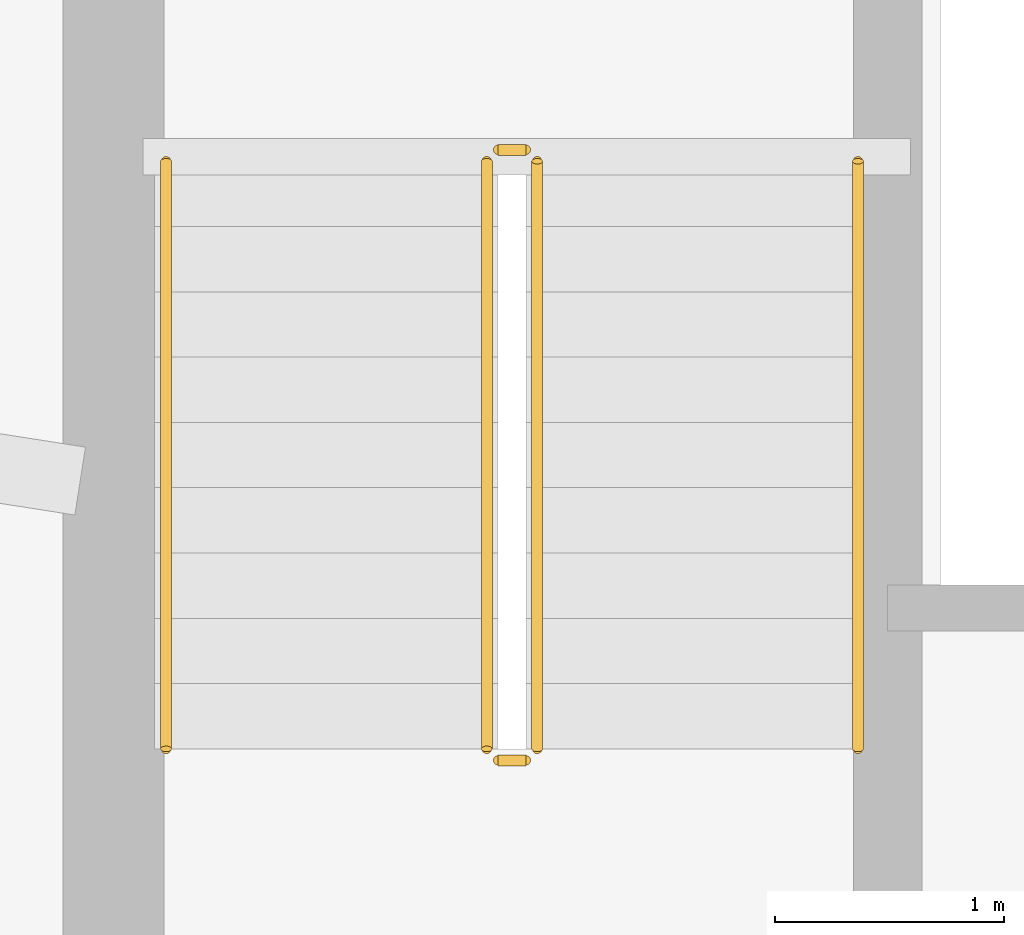
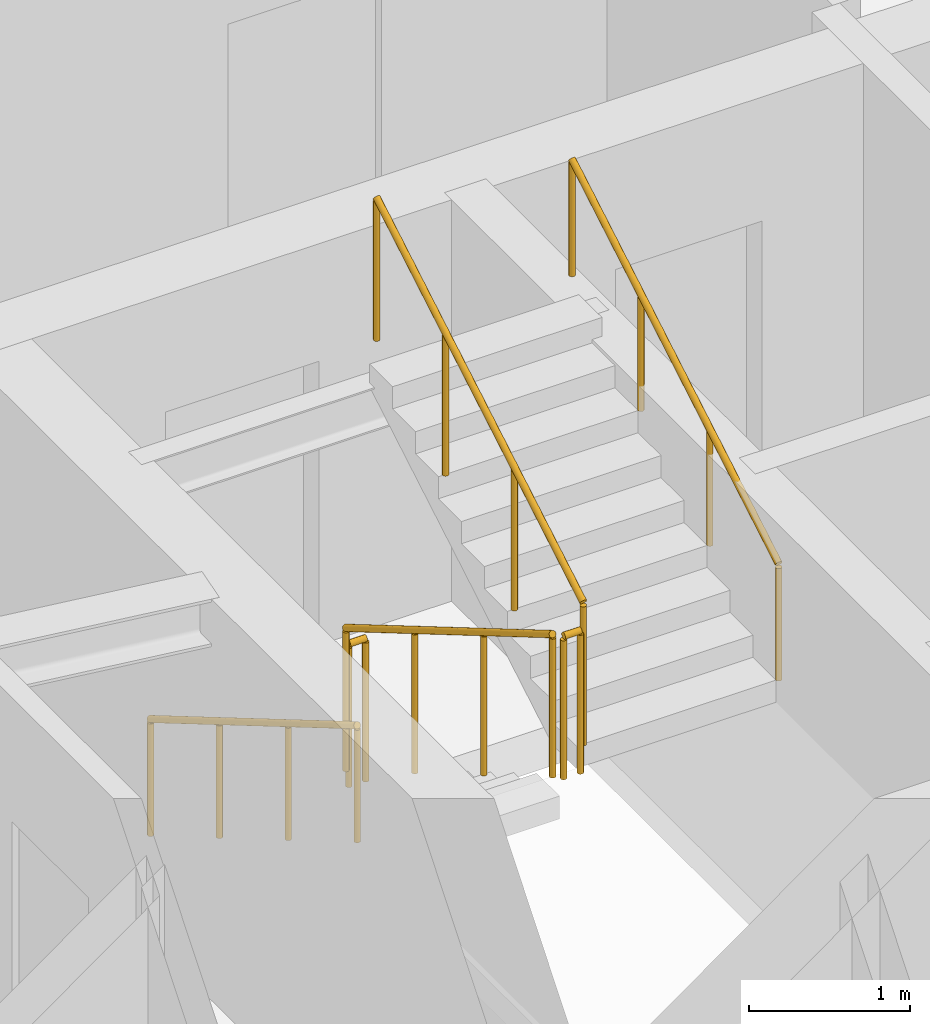
# One storey, part 10 of 12: 6 railings.
"""IFC4 building model written with IfcOpenShell, lengths in metres."""

from ifc_helpers import new_model, si_unit, direction, frame, origin, origin_2d, place, context, subcontext, project, spatial, circle, extrude, material, type_object, element, save


model = new_model("IFC4")

# Units and contexts
model_context = context("Model", 3, precision=1e-05, world=origin(), true_north=direction((0.0, 1.0)))
body_context = subcontext(model_context, "Body", "Model", "MODEL_VIEW")
ifc_project = project(units=[si_unit("LENGTHUNIT", "METRE"), si_unit("AREAUNIT", "SQUARE_METRE"), si_unit("VOLUMEUNIT", "CUBIC_METRE"), si_unit("PLANEANGLEUNIT", "RADIAN"), si_unit("MASSUNIT", "GRAM", prefix="KILO")], contexts=[model_context])

# Site, building, storey
site_placement = place(None, origin())
site = spatial("IfcSite", under=ifc_project, at=site_placement, CompositionType="ELEMENT")
building_placement = place(site_placement, origin())
building = spatial("IfcBuilding", under=site, at=building_placement, Name="Qobustan Lattice House", CompositionType="ELEMENT")
storey_placement = place(building_placement, frame((0.0, 0.0, 241.699951171875)))
storey = spatial("IfcBuildingStorey", under=building, at=storey_placement, Name="L68", CompositionType="ELEMENT", Elevation=241.699951171875)

# Railings
ifc_material_1 = material(Name="Brushed stainless steel handrail", Category="steel")
railing_type_1 = type_object("IfcRailingType", Name="RAL-HR-920", PredefinedType="HANDRAIL", material=ifc_material_1)
railing_1_placement = place(storey_placement, frame((-18.199951171875, 3.5, 0.16748046875)))
element("IfcRailing", 1, at=railing_1_placement, inside=storey, type_object=railing_type_1, Name="L68 ST-W1 stair handrail 1", PredefinedType="HANDRAIL", context=body_context, shape_type="SweptSolid", body=[
    extrude(circle(Radius=0.02392578125, at=origin_2d()), frame((0.0, 0.0, 0.8759765625), z_axis=(0.0, -0.862113467892, 0.50671527358), x_axis=(1.0, 0.0, 0.0)), (0.0, 0.0, 1.0), 2.97509765625),
    extrude(circle(Radius=0.02099609375, at=origin_2d()), origin(), (0.0, 0.0, 1.0), 0.851806640625),
    extrude(circle(Radius=0.02099609375, at=origin_2d()), frame((0.0, -0.85498046875, 0.50244140625)), (0.0, 0.0, 1.0), 0.851806640625),
    extrude(circle(Radius=0.02099609375, at=origin_2d()), frame((0.0, -1.7099609375, 1.005126953125)), (0.0, 0.0, 1.0), 0.851806640625),
    extrude(circle(Radius=0.02099609375, at=origin_2d()), frame((0.0, -2.56494140625, 1.507568359375)), (0.0, 0.0, 1.0), 0.851806640625),
])
railing_2_placement = place(storey_placement, frame((-15.179931640625, 0.93505859375, 1.842529296875)))
element("IfcRailing", 2, at=railing_2_placement, inside=storey, type_object=railing_type_1, Name="L68 ST-W1 stair handrail 2", PredefinedType="HANDRAIL", context=body_context, shape_type="SweptSolid", body=[
    extrude(circle(Radius=0.02392578125, at=origin_2d()), frame((0.0, 0.0, 0.8759765625), z_axis=(0.0, 0.862113467892, 0.50671527358), x_axis=(-1.0, 0.0, 0.0)), (0.0, 0.0, 1.0), 2.97509765625),
    extrude(circle(Radius=0.02099609375, at=origin_2d()), origin(), (0.0, 0.0, 1.0), 0.851806640625),
    extrude(circle(Radius=0.02099609375, at=origin_2d()), frame((0.0, 0.85498046875, 0.50244140625)), (0.0, 0.0, 1.0), 0.851806640625),
    extrude(circle(Radius=0.02099609375, at=origin_2d()), frame((0.0, 1.7099609375, 1.005126953125)), (0.0, 0.0, 1.0), 0.851806640625),
    extrude(circle(Radius=0.02099609375, at=origin_2d()), frame((0.0, 2.56494140625, 1.507568359375)), (0.0, 0.0, 1.0), 0.851806640625),
])
ifc_material_2 = material(Name="Painted galvanized steel guardrail", Category="steel")
railing_type_2 = type_object("IfcRailingType", Name="RAL-STG-1150", PredefinedType="GUARDRAIL", material=ifc_material_2)
railing_3_placement = place(storey_placement, frame((-16.800048828125, 3.5, 0.16748046875)))
element("IfcRailing", 3, at=railing_3_placement, inside=storey, type_object=railing_type_2, Name="L68 ST-W1 stair guard 1", PredefinedType="GUARDRAIL", context=body_context, shape_type="SweptSolid", body=[
    extrude(circle(Radius=0.02392578125, at=origin_2d()), frame((0.0, 0.0, 1.076171875), z_axis=(0.0, -0.862113467892, 0.50671527358), x_axis=(1.0, 0.0, 0.0)), (0.0, 0.0, 1.0), 2.97509765625),
    extrude(circle(Radius=0.02099609375, at=origin_2d()), origin(), (0.0, 0.0, 1.0), 1.052001953125),
    extrude(circle(Radius=0.02099609375, at=origin_2d()), frame((0.0, -0.85498046875, 0.50244140625)), (0.0, 0.0, 1.0), 1.052001953125),
    extrude(circle(Radius=0.02099609375, at=origin_2d()), frame((0.0, -1.7099609375, 1.005126953125)), (0.0, 0.0, 1.0), 1.052001953125),
    extrude(circle(Radius=0.02099609375, at=origin_2d()), frame((0.0, -2.56494140625, 1.507568359375)), (0.0, 0.0, 1.0), 1.052001953125),
])
railing_4_placement = place(storey_placement, frame((-16.75, 0.885009765625, 1.675048828125)))
element("IfcRailing", 4, at=railing_4_placement, inside=storey, type_object=railing_type_2, Name="L68 ST-W1 stair guard 2", PredefinedType="GUARDRAIL", context=body_context, shape_type="SweptSolid", body=[
    extrude(circle(Radius=0.02392578125, at=origin_2d()), frame((0.0, 0.0, 1.076171875), z_axis=(1.0, 0.0, 0.0), x_axis=(0.0, 1.0, 0.0)), (0.0, 0.0, 1.0), 0.1201171875),
    extrude(circle(Radius=0.02099609375, at=origin_2d()), origin(), (0.0, 0.0, 1.0), 1.052001953125),
    extrude(circle(Radius=0.02099609375, at=origin_2d()), frame((0.1201171875, 0.0, 0.0)), (0.0, 0.0, 1.0), 1.052001953125),
])
railing_5_placement = place(storey_placement, frame((-16.580078125, 0.93505859375, 1.842529296875)))
element("IfcRailing", 5, at=railing_5_placement, inside=storey, type_object=railing_type_2, Name="L68 ST-W1 stair guard 3", PredefinedType="GUARDRAIL", context=body_context, shape_type="SweptSolid", body=[
    extrude(circle(Radius=0.02392578125, at=origin_2d()), frame((0.0, 0.0, 1.076171875), z_axis=(0.0, 0.862113467892, 0.50671527358), x_axis=(-1.0, 0.0, 0.0)), (0.0, 0.0, 1.0), 2.97509765625),
    extrude(circle(Radius=0.02099609375, at=origin_2d()), origin(), (0.0, 0.0, 1.0), 1.052001953125),
    extrude(circle(Radius=0.02099609375, at=origin_2d()), frame((0.0, 0.85498046875, 0.50244140625)), (0.0, 0.0, 1.0), 1.052001953125),
    extrude(circle(Radius=0.02099609375, at=origin_2d()), frame((0.0, 1.7099609375, 1.005126953125)), (0.0, 0.0, 1.0), 1.052001953125),
    extrude(circle(Radius=0.02099609375, at=origin_2d()), frame((0.0, 2.56494140625, 1.507568359375)), (0.0, 0.0, 1.0), 1.052001953125),
])
railing_6_placement = place(storey_placement, frame((-16.75, 3.550048828125, 0.0)))
element("IfcRailing", 6, at=railing_6_placement, inside=storey, type_object=railing_type_2, Name="L68 ST-W1 stair guard 4", PredefinedType="GUARDRAIL", context=body_context, shape_type="SweptSolid", body=[
    extrude(circle(Radius=0.02392578125, at=origin_2d()), frame((0.0, 0.0, 1.076171875), z_axis=(1.0, 0.0, 0.0), x_axis=(0.0, 1.0, 0.0)), (0.0, 0.0, 1.0), 0.1201171875),
    extrude(circle(Radius=0.02099609375, at=origin_2d()), origin(), (0.0, 0.0, 1.0), 1.052001953125),
    extrude(circle(Radius=0.02099609375, at=origin_2d()), frame((0.1201171875, 0.0, 0.0)), (0.0, 0.0, 1.0), 1.052001953125),
])

save(model, "model.ifc")
